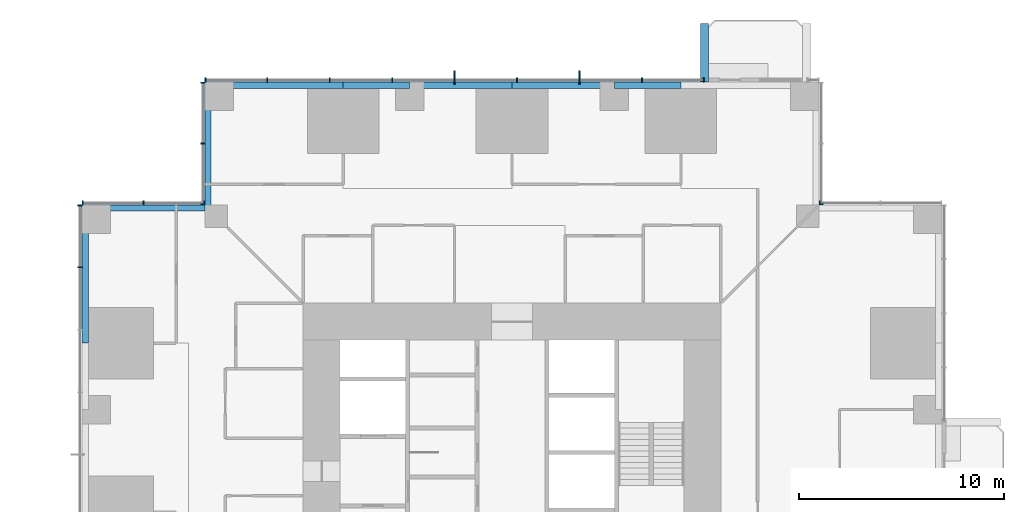
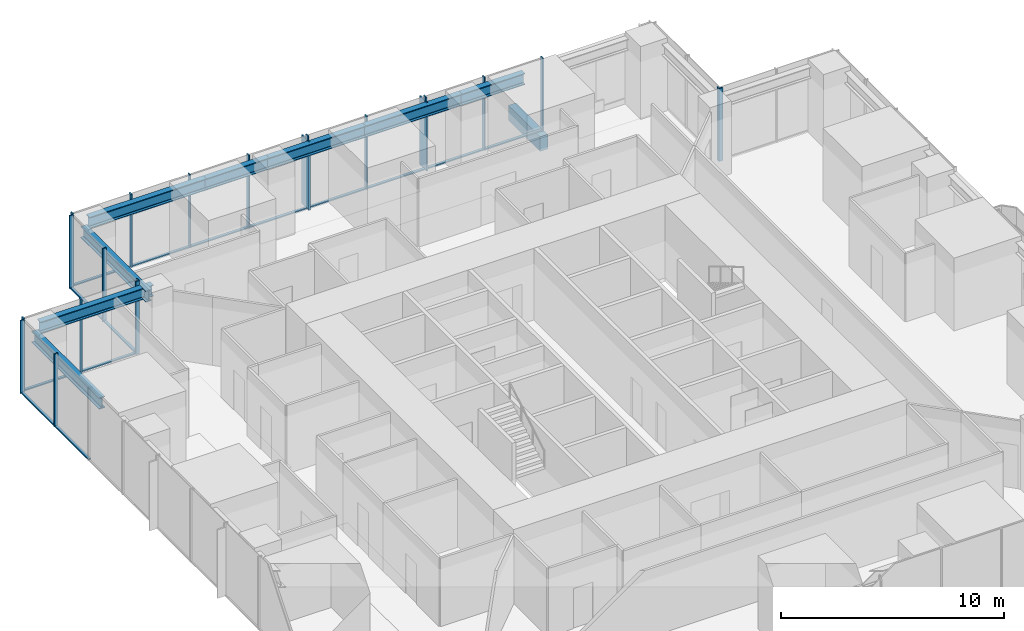
# One storey, part 5 of 17: 35 members, 9 beams, 6 elements without a shape of their own.
"""IFC4 building model written with IfcOpenShell, lengths in metres."""

from ifc_helpers import new_model, si_unit, direction, frame, origin, origin_2d, place, context, subcontext, project, spatial, rectangle, i_section, extrude, material, material_profile, profile_set, type_object, element, aggregate, save


model = new_model("IFC4")

# Units and contexts
model_context = context("Model", 3, precision=1e-05, world=origin(), true_north=direction((0.0, 1.0)))
body_context = subcontext(model_context, "Body", "Model", "MODEL_VIEW")
ifc_project = project(units=[si_unit("LENGTHUNIT", "METRE"), si_unit("AREAUNIT", "SQUARE_METRE"), si_unit("VOLUMEUNIT", "CUBIC_METRE"), si_unit("PLANEANGLEUNIT", "RADIAN"), si_unit("MASSUNIT", "GRAM", prefix="KILO")], contexts=[model_context])

# Site, building, storey
site_placement = place(None, origin())
site = spatial("IfcSite", under=ifc_project, at=site_placement, CompositionType="ELEMENT")
building_placement = place(site_placement, origin())
building = spatial("IfcBuilding", under=site, at=building_placement, Name="Svetlomir Tower", CompositionType="ELEMENT")
storey_placement = place(building_placement, frame((0.0, 0.0, 30.5)))
storey = spatial("IfcBuildingStorey", under=building, at=storey_placement, Name="L06", CompositionType="ELEMENT", Elevation=30.5)

# Beam
ifc_material_1 = material(Name="Concrete C60/75", Category="concrete")
ifc_material_profile_1 = material_profile(ifc_material_1, rectangle(XDim=0.39990234375, YDim=0.800048828125, at=origin_2d()), Name="RC 400x800")
ifc_profile_set_1 = profile_set([ifc_material_profile_1], Name="Concrete C60/75")
beam_type_1 = type_object("IfcBeamType", Name="BALCONY RIB RC 400x800", PredefinedType="BEAM", material=ifc_profile_set_1)
beam_1_placement = place(storey_placement, frame((30.39990234375, 42.0, -0.64990234375), z_axis=(0.0, 1.0, 0.0), x_axis=(-1.0, 0.0, 0.0)))
element("IfcBeam", 1, at=beam_1_placement, inside=storey, type_object=beam_type_1, Name="Balcony rib N 1 L06", PredefinedType="BEAM", context=body_context, shape_type="SweptSolid", body=[
    extrude(rectangle(XDim=0.39990234375, YDim=0.800048828125, at=origin_2d()), origin(), (0.0, 0.0, 1.0), 2.85009765625),
])

# Curtain wall, members
ifc_material_2 = material(Name="Bronze anodised aluminium curtain wall", Category="aluminium")
curtain_wall_type = type_object("IfcCurtainWallType", Name="CURTAIN WALL CW1 TOWER OFFICE", PredefinedType="NOTDEFINED", material=ifc_material_2)
curtain_wall_1_placement = place(storey_placement, origin())
curtain_wall_1 = element("IfcCurtainWall", 2, at=curtain_wall_1_placement, inside=storey, type_object=curtain_wall_type, Name="Curtain wall CW1 L06", PredefinedType="NOTDEFINED")
ifc_material_3 = material(Name="Bronze anodised aluminium", Category="aluminium")
ifc_material_profile_2 = material_profile(ifc_material_3, rectangle(XDim=0.080078125, YDim=0.64990234375, at=origin_2d()), Name="FIN 80x650")
ifc_profile_set_2 = profile_set([ifc_material_profile_2], Name="Bronze anodised aluminium 6063-T6")
member_type_1 = type_object("IfcMemberType", Name="BRONZE FIN 80x650", PredefinedType="USERDEFINED", material=ifc_profile_set_2)
member_1_placement = place(storey_placement, frame((24.300048828125, 42.22509765625, 0.0), z_axis=(0.0, 0.0, 1.0), x_axis=(1.0, 0.0, 0.0)))
member_1 = element("IfcMember", 3, at=member_1_placement, type_object=member_type_1, Name="Bronze fin L06", ObjectType="FIN", PredefinedType="USERDEFINED", context=body_context, shape_type="SweptSolid", body=[
    extrude(rectangle(XDim=0.080078125, YDim=0.64990234375, at=origin_2d()), origin(), (0.0, 0.0, 1.0), 3.75),
])
member_2_placement = place(storey_placement, frame((18.199951171875, 42.22509765625, 0.0), z_axis=(0.0, 0.0, 1.0), x_axis=(1.0, 0.0, 0.0)))
member_2 = element("IfcMember", 4, at=member_2_placement, type_object=member_type_1, Name="Bronze fin L06", ObjectType="FIN", PredefinedType="USERDEFINED", context=body_context, shape_type="SweptSolid", body=[
    extrude(rectangle(XDim=0.080078125, YDim=0.64990234375, at=origin_2d()), origin(), (0.0, 0.0, 1.0), 3.75),
])

# Curtain wall, member
curtain_wall_2_placement = place(storey_placement, origin())
curtain_wall_2 = element("IfcCurtainWall", 5, at=curtain_wall_2_placement, inside=storey, type_object=curtain_wall_type, Name="Curtain wall CW1 L06", PredefinedType="NOTDEFINED")
ifc_material_4 = material(Name="Bronze anodised aluminium", Category="aluminium")
ifc_material_profile_3 = material_profile(ifc_material_4, rectangle(XDim=0.06494140625, YDim=0.199951171875, at=origin_2d()), Name="AL 65x200")
ifc_profile_set_3 = profile_set([ifc_material_profile_3], Name="Bronze anodised aluminium 6063-T6")
member_type_2 = type_object("IfcMemberType", Name="CW1 MULLION 65x200", PredefinedType="MULLION", material=ifc_profile_set_3)
member_3_placement = place(storey_placement, frame((36.032470703125, 36.10009765625, 0.0), z_axis=(0.0, 0.0, 1.0), x_axis=(-1.0, 0.0, 0.0)))
member_3 = element("IfcMember", 6, at=member_3_placement, type_object=member_type_2, Name="CW1 mullion 3", PredefinedType="MULLION", context=body_context, shape_type="SweptSolid", body=[
    extrude(rectangle(XDim=0.06494140625, YDim=0.199951171875, at=origin_2d()), origin(), (0.0, 0.0, 1.0), 4.0),
])
aggregate(curtain_wall_2, [member_3])

curtain_wall_3_placement = place(storey_placement, origin())
curtain_wall_3 = element("IfcCurtainWall", 7, at=curtain_wall_3_placement, inside=storey, type_object=curtain_wall_type, Name="Curtain wall CW1 L06", PredefinedType="NOTDEFINED")
member_4_placement = place(storey_placement, frame((36.10009765625, 36.032470703125, 0.0), z_axis=(0.0, 0.0, 1.0), x_axis=(0.0, 1.0, 0.0)))
member_4 = element("IfcMember", 8, at=member_4_placement, type_object=member_type_2, Name="CW1 mullion 1", PredefinedType="MULLION", context=body_context, shape_type="SweptSolid", body=[
    extrude(rectangle(XDim=0.06494140625, YDim=0.199951171875, at=origin_2d()), origin(), (0.0, 0.0, 1.0), 4.0),
])
aggregate(curtain_wall_3, [member_4])

# Member
member_5_placement = place(storey_placement, frame((30.367431640625, 42.10009765625, 0.0), z_axis=(0.0, 0.0, 1.0), x_axis=(-1.0, 0.0, 0.0)))
member_5 = element("IfcMember", 9, at=member_5_placement, type_object=member_type_2, Name="CW1 mullion 1", PredefinedType="MULLION", context=body_context, shape_type="SweptSolid", body=[
    extrude(rectangle(XDim=0.06494140625, YDim=0.199951171875, at=origin_2d()), origin(), (0.0, 0.0, 1.0), 4.0),
])

member_6_placement = place(storey_placement, frame((27.35009765625, 42.10009765625, 0.0), z_axis=(0.0, 0.0, 1.0), x_axis=(-1.0, 0.0, 0.0)))
member_6 = element("IfcMember", 10, at=member_6_placement, type_object=member_type_2, Name="CW1 mullion 2", PredefinedType="MULLION", context=body_context, shape_type="SweptSolid", body=[
    extrude(rectangle(XDim=0.06494140625, YDim=0.199951171875, at=origin_2d()), origin(), (0.0, 0.0, 1.0), 4.0),
])

member_7_placement = place(storey_placement, frame((24.300048828125, 42.10009765625, 0.0), z_axis=(0.0, 0.0, 1.0), x_axis=(-1.0, 0.0, 0.0)))
member_7 = element("IfcMember", 11, at=member_7_placement, type_object=member_type_2, Name="CW1 mullion 3", PredefinedType="MULLION", context=body_context, shape_type="SweptSolid", body=[
    extrude(rectangle(XDim=0.06494140625, YDim=0.199951171875, at=origin_2d()), origin(), (0.0, 0.0, 1.0), 4.0),
])

member_8_placement = place(storey_placement, frame((21.25, 42.10009765625, 0.0), z_axis=(0.0, 0.0, 1.0), x_axis=(-1.0, 0.0, 0.0)))
member_8 = element("IfcMember", 12, at=member_8_placement, type_object=member_type_2, Name="CW1 mullion 4", PredefinedType="MULLION", context=body_context, shape_type="SweptSolid", body=[
    extrude(rectangle(XDim=0.06494140625, YDim=0.199951171875, at=origin_2d()), origin(), (0.0, 0.0, 1.0), 4.0),
])

member_9_placement = place(storey_placement, frame((18.199951171875, 42.10009765625, 0.0), z_axis=(0.0, 0.0, 1.0), x_axis=(-1.0, 0.0, 0.0)))
member_9 = element("IfcMember", 13, at=member_9_placement, type_object=member_type_2, Name="CW1 mullion 5", PredefinedType="MULLION", context=body_context, shape_type="SweptSolid", body=[
    extrude(rectangle(XDim=0.06494140625, YDim=0.199951171875, at=origin_2d()), origin(), (0.0, 0.0, 1.0), 4.0),
])

member_10_placement = place(storey_placement, frame((15.14990234375, 42.10009765625, 0.0), z_axis=(0.0, 0.0, 1.0), x_axis=(-1.0, 0.0, 0.0)))
member_10 = element("IfcMember", 14, at=member_10_placement, type_object=member_type_2, Name="CW1 mullion 6", PredefinedType="MULLION", context=body_context, shape_type="SweptSolid", body=[
    extrude(rectangle(XDim=0.06494140625, YDim=0.199951171875, at=origin_2d()), origin(), (0.0, 0.0, 1.0), 4.0),
])

member_11_placement = place(storey_placement, frame((12.10009765625, 42.10009765625, 0.0), z_axis=(0.0, 0.0, 1.0), x_axis=(-1.0, 0.0, 0.0)))
member_11 = element("IfcMember", 15, at=member_11_placement, type_object=member_type_2, Name="CW1 mullion 7", PredefinedType="MULLION", context=body_context, shape_type="SweptSolid", body=[
    extrude(rectangle(XDim=0.06494140625, YDim=0.199951171875, at=origin_2d()), origin(), (0.0, 0.0, 1.0), 4.0),
])

member_12_placement = place(storey_placement, frame((9.050048828125, 42.10009765625, 0.0), z_axis=(0.0, 0.0, 1.0), x_axis=(-1.0, 0.0, 0.0)))
member_12 = element("IfcMember", 16, at=member_12_placement, type_object=member_type_2, Name="CW1 mullion 8", PredefinedType="MULLION", context=body_context, shape_type="SweptSolid", body=[
    extrude(rectangle(XDim=0.06494140625, YDim=0.199951171875, at=origin_2d()), origin(), (0.0, 0.0, 1.0), 4.0),
])

member_13_placement = place(storey_placement, frame((6.032470703125, 42.10009765625, 0.0), z_axis=(0.0, 0.0, 1.0), x_axis=(-1.0, 0.0, 0.0)))
member_13 = element("IfcMember", 17, at=member_13_placement, type_object=member_type_2, Name="CW1 mullion 9", PredefinedType="MULLION", context=body_context, shape_type="SweptSolid", body=[
    extrude(rectangle(XDim=0.06494140625, YDim=0.199951171875, at=origin_2d()), origin(), (0.0, 0.0, 1.0), 4.0),
])

# Curtain wall, members
curtain_wall_4_placement = place(storey_placement, origin())
curtain_wall_4 = element("IfcCurtainWall", 18, at=curtain_wall_4_placement, inside=storey, type_object=curtain_wall_type, Name="Curtain wall CW1 L06", PredefinedType="NOTDEFINED")
member_14_placement = place(storey_placement, frame((5.89990234375, 41.967529296875, 0.0), z_axis=(0.0, 0.0, 1.0), x_axis=(0.0, -1.0, 0.0)))
member_14 = element("IfcMember", 19, at=member_14_placement, type_object=member_type_2, Name="CW1 mullion 1", PredefinedType="MULLION", context=body_context, shape_type="SweptSolid", body=[
    extrude(rectangle(XDim=0.06494140625, YDim=0.199951171875, at=origin_2d()), origin(), (0.0, 0.0, 1.0), 4.0),
])
member_15_placement = place(storey_placement, frame((5.89990234375, 39.0, 0.0), z_axis=(0.0, 0.0, 1.0), x_axis=(0.0, -1.0, 0.0)))
member_15 = element("IfcMember", 20, at=member_15_placement, type_object=member_type_2, Name="CW1 mullion 2", PredefinedType="MULLION", context=body_context, shape_type="SweptSolid", body=[
    extrude(rectangle(XDim=0.06494140625, YDim=0.199951171875, at=origin_2d()), origin(), (0.0, 0.0, 1.0), 4.0),
])
member_16_placement = place(storey_placement, frame((5.89990234375, 36.032470703125, 0.0), z_axis=(0.0, 0.0, 1.0), x_axis=(0.0, -1.0, 0.0)))
member_16 = element("IfcMember", 21, at=member_16_placement, type_object=member_type_2, Name="CW1 mullion 3", PredefinedType="MULLION", context=body_context, shape_type="SweptSolid", body=[
    extrude(rectangle(XDim=0.06494140625, YDim=0.199951171875, at=origin_2d()), origin(), (0.0, 0.0, 1.0), 4.0),
])

curtain_wall_5_placement = place(storey_placement, origin())
curtain_wall_5 = element("IfcCurtainWall", 22, at=curtain_wall_5_placement, inside=storey, type_object=curtain_wall_type, Name="Curtain wall CW1 L06", PredefinedType="NOTDEFINED")
member_17_placement = place(storey_placement, frame((5.967529296875, 36.10009765625, 0.0), z_axis=(0.0, 0.0, 1.0), x_axis=(-1.0, 0.0, 0.0)))
member_17 = element("IfcMember", 23, at=member_17_placement, type_object=member_type_2, Name="CW1 mullion 1", PredefinedType="MULLION", context=body_context, shape_type="SweptSolid", body=[
    extrude(rectangle(XDim=0.06494140625, YDim=0.199951171875, at=origin_2d()), origin(), (0.0, 0.0, 1.0), 4.0),
])
member_18_placement = place(storey_placement, frame((3.0, 36.10009765625, 0.0), z_axis=(0.0, 0.0, 1.0), x_axis=(-1.0, 0.0, 0.0)))
member_18 = element("IfcMember", 24, at=member_18_placement, type_object=member_type_2, Name="CW1 mullion 2", PredefinedType="MULLION", context=body_context, shape_type="SweptSolid", body=[
    extrude(rectangle(XDim=0.06494140625, YDim=0.199951171875, at=origin_2d()), origin(), (0.0, 0.0, 1.0), 4.0),
])
member_19_placement = place(storey_placement, frame((0.032470703125, 36.10009765625, 0.0), z_axis=(0.0, 0.0, 1.0), x_axis=(-1.0, 0.0, 0.0)))
member_19 = element("IfcMember", 25, at=member_19_placement, type_object=member_type_2, Name="CW1 mullion 3", PredefinedType="MULLION", context=body_context, shape_type="SweptSolid", body=[
    extrude(rectangle(XDim=0.06494140625, YDim=0.199951171875, at=origin_2d()), origin(), (0.0, 0.0, 1.0), 4.0),
])

curtain_wall_6_placement = place(storey_placement, origin())
curtain_wall_6 = element("IfcCurtainWall", 26, at=curtain_wall_6_placement, inside=storey, type_object=curtain_wall_type, Name="Curtain wall CW1 L06", PredefinedType="NOTDEFINED")
member_20_placement = place(storey_placement, frame((-0.10009765625, 35.967529296875, 0.0), z_axis=(0.0, 0.0, 1.0), x_axis=(0.0, -1.0, 0.0)))
member_20 = element("IfcMember", 27, at=member_20_placement, type_object=member_type_2, Name="CW1 mullion 1", PredefinedType="MULLION", context=body_context, shape_type="SweptSolid", body=[
    extrude(rectangle(XDim=0.06494140625, YDim=0.199951171875, at=origin_2d()), origin(), (0.0, 0.0, 1.0), 4.0),
])
member_21_placement = place(storey_placement, frame((-0.10009765625, 32.949951171875, 0.0), z_axis=(0.0, 0.0, 1.0), x_axis=(0.0, -1.0, 0.0)))
member_21 = element("IfcMember", 28, at=member_21_placement, type_object=member_type_2, Name="CW1 mullion 2", PredefinedType="MULLION", context=body_context, shape_type="SweptSolid", body=[
    extrude(rectangle(XDim=0.06494140625, YDim=0.199951171875, at=origin_2d()), origin(), (0.0, 0.0, 1.0), 4.0),
])

# Member
ifc_material_5 = material(Name="Bronze anodised aluminium", Category="aluminium")
ifc_material_profile_4 = material_profile(ifc_material_5, rectangle(XDim=0.139892578125, YDim=0.06494140625, at=origin_2d()), Name="AL 140x65")
ifc_profile_set_4 = profile_set([ifc_material_profile_4], Name="Bronze anodised aluminium 6063-T6")
member_type_3 = type_object("IfcMemberType", Name="CW1 TRANSOM 65x140", PredefinedType="USERDEFINED", material=ifc_profile_set_4)
member_22_placement = place(storey_placement, frame((30.3349609375, 42.10009765625, 0.032470703125), z_axis=(-1.0, 0.0, 0.0), x_axis=(0.0, -1.0, 0.0)))
member_22 = element("IfcMember", 29, at=member_22_placement, type_object=member_type_3, Name="CW1 transom 1.1", ObjectType="TRANSOM", PredefinedType="USERDEFINED", context=body_context, shape_type="SweptSolid", body=[
    extrude(rectangle(XDim=0.139892578125, YDim=0.06494140625, at=origin_2d()), origin(), (0.0, 0.0, 1.0), 2.952392578125),
])

member_23_placement = place(storey_placement, frame((27.3173828125, 42.10009765625, 0.032470703125), z_axis=(-1.0, 0.0, 0.0), x_axis=(0.0, -1.0, 0.0)))
member_23 = element("IfcMember", 30, at=member_23_placement, type_object=member_type_3, Name="CW1 transom 2.1", ObjectType="TRANSOM", PredefinedType="USERDEFINED", context=body_context, shape_type="SweptSolid", body=[
    extrude(rectangle(XDim=0.139892578125, YDim=0.06494140625, at=origin_2d()), origin(), (0.0, 0.0, 1.0), 2.98486328125),
])

member_24_placement = place(storey_placement, frame((24.267578125, 42.10009765625, 0.032470703125), z_axis=(-1.0, 0.0, 0.0), x_axis=(0.0, -1.0, 0.0)))
member_24 = element("IfcMember", 31, at=member_24_placement, type_object=member_type_3, Name="CW1 transom 3.1", ObjectType="TRANSOM", PredefinedType="USERDEFINED", context=body_context, shape_type="SweptSolid", body=[
    extrude(rectangle(XDim=0.139892578125, YDim=0.06494140625, at=origin_2d()), origin(), (0.0, 0.0, 1.0), 2.985107421875),
])

member_25_placement = place(storey_placement, frame((21.217529296875, 42.10009765625, 0.032470703125), z_axis=(-1.0, 0.0, 0.0), x_axis=(0.0, -1.0, 0.0)))
member_25 = element("IfcMember", 32, at=member_25_placement, type_object=member_type_3, Name="CW1 transom 4.1", ObjectType="TRANSOM", PredefinedType="USERDEFINED", context=body_context, shape_type="SweptSolid", body=[
    extrude(rectangle(XDim=0.139892578125, YDim=0.06494140625, at=origin_2d()), origin(), (0.0, 0.0, 1.0), 2.985107421875),
])

member_26_placement = place(storey_placement, frame((18.16748046875, 42.10009765625, 0.032470703125), z_axis=(-1.0, 0.0, 0.0), x_axis=(0.0, -1.0, 0.0)))
member_26 = element("IfcMember", 33, at=member_26_placement, type_object=member_type_3, Name="CW1 transom 5.1", ObjectType="TRANSOM", PredefinedType="USERDEFINED", context=body_context, shape_type="SweptSolid", body=[
    extrude(rectangle(XDim=0.139892578125, YDim=0.06494140625, at=origin_2d()), origin(), (0.0, 0.0, 1.0), 2.98486328125),
])

member_27_placement = place(storey_placement, frame((15.117431640625, 42.10009765625, 0.032470703125), z_axis=(-1.0, 0.0, 0.0), x_axis=(0.0, -1.0, 0.0)))
member_27 = element("IfcMember", 34, at=member_27_placement, type_object=member_type_3, Name="CW1 transom 6.1", ObjectType="TRANSOM", PredefinedType="USERDEFINED", context=body_context, shape_type="SweptSolid", body=[
    extrude(rectangle(XDim=0.139892578125, YDim=0.06494140625, at=origin_2d()), origin(), (0.0, 0.0, 1.0), 2.98486328125),
])

member_28_placement = place(storey_placement, frame((12.0673828125, 42.10009765625, 0.032470703125), z_axis=(-1.0, 0.0, 0.0), x_axis=(0.0, -1.0, 0.0)))
member_28 = element("IfcMember", 35, at=member_28_placement, type_object=member_type_3, Name="CW1 transom 7.1", ObjectType="TRANSOM", PredefinedType="USERDEFINED", context=body_context, shape_type="SweptSolid", body=[
    extrude(rectangle(XDim=0.139892578125, YDim=0.06494140625, at=origin_2d()), origin(), (0.0, 0.0, 1.0), 2.98486328125),
])

member_29_placement = place(storey_placement, frame((9.017578125, 42.10009765625, 0.032470703125), z_axis=(-1.0, 0.0, 0.0), x_axis=(0.0, -1.0, 0.0)))
member_29 = element("IfcMember", 36, at=member_29_placement, type_object=member_type_3, Name="CW1 transom 8.1", ObjectType="TRANSOM", PredefinedType="USERDEFINED", context=body_context, shape_type="SweptSolid", body=[
    extrude(rectangle(XDim=0.139892578125, YDim=0.06494140625, at=origin_2d()), origin(), (0.0, 0.0, 1.0), 2.95263671875),
])

aggregate(curtain_wall_1, [member_5, member_6, member_7, member_8, member_9, member_10, member_11, member_12, member_13, member_22, member_23, member_24, member_25, member_26, member_27, member_28, member_29, member_1, member_2])

member_30_placement = place(storey_placement, frame((5.89990234375, 41.93505859375, 0.032470703125), z_axis=(0.0, -1.0, 0.0), x_axis=(1.0, 0.0, 0.0)))
member_30 = element("IfcMember", 37, at=member_30_placement, type_object=member_type_3, Name="CW1 transom 1.1", ObjectType="TRANSOM", PredefinedType="USERDEFINED", context=body_context, shape_type="SweptSolid", body=[
    extrude(rectangle(XDim=0.139892578125, YDim=0.06494140625, at=origin_2d()), origin(), (0.0, 0.0, 1.0), 2.902587890625),
])

member_31_placement = place(storey_placement, frame((5.89990234375, 38.967529296875, 0.032470703125), z_axis=(0.0, -1.0, 0.0), x_axis=(1.0, 0.0, 0.0)))
member_31 = element("IfcMember", 38, at=member_31_placement, type_object=member_type_3, Name="CW1 transom 2.1", ObjectType="TRANSOM", PredefinedType="USERDEFINED", context=body_context, shape_type="SweptSolid", body=[
    extrude(rectangle(XDim=0.139892578125, YDim=0.06494140625, at=origin_2d()), origin(), (0.0, 0.0, 1.0), 2.902587890625),
])

aggregate(curtain_wall_4, [member_14, member_15, member_16, member_30, member_31])

member_32_placement = place(storey_placement, frame((5.93505859375, 36.10009765625, 0.032470703125), z_axis=(-1.0, 0.0, 0.0), x_axis=(0.0, -1.0, 0.0)))
member_32 = element("IfcMember", 39, at=member_32_placement, type_object=member_type_3, Name="CW1 transom 1.1", ObjectType="TRANSOM", PredefinedType="USERDEFINED", context=body_context, shape_type="SweptSolid", body=[
    extrude(rectangle(XDim=0.139892578125, YDim=0.06494140625, at=origin_2d()), origin(), (0.0, 0.0, 1.0), 2.902587890625),
])

member_33_placement = place(storey_placement, frame((2.967529296875, 36.10009765625, 0.032470703125), z_axis=(-1.0, 0.0, 0.0), x_axis=(0.0, -1.0, 0.0)))
member_33 = element("IfcMember", 40, at=member_33_placement, type_object=member_type_3, Name="CW1 transom 2.1", ObjectType="TRANSOM", PredefinedType="USERDEFINED", context=body_context, shape_type="SweptSolid", body=[
    extrude(rectangle(XDim=0.139892578125, YDim=0.06494140625, at=origin_2d()), origin(), (0.0, 0.0, 1.0), 2.902587890625),
])

aggregate(curtain_wall_5, [member_17, member_18, member_19, member_32, member_33])

member_34_placement = place(storey_placement, frame((-0.10009765625, 35.93505859375, 0.032470703125), z_axis=(0.0, -1.0, 0.0), x_axis=(1.0, 0.0, 0.0)))
member_34 = element("IfcMember", 41, at=member_34_placement, type_object=member_type_3, Name="CW1 transom 1.1", ObjectType="TRANSOM", PredefinedType="USERDEFINED", context=body_context, shape_type="SweptSolid", body=[
    extrude(rectangle(XDim=0.139892578125, YDim=0.06494140625, at=origin_2d()), origin(), (0.0, 0.0, 1.0), 2.95263671875),
])

member_35_placement = place(storey_placement, frame((-0.10009765625, 32.91748046875, 0.032470703125), z_axis=(0.0, -1.0, 0.0), x_axis=(1.0, 0.0, 0.0)))
member_35 = element("IfcMember", 42, at=member_35_placement, type_object=member_type_3, Name="CW1 transom 2.1", ObjectType="TRANSOM", PredefinedType="USERDEFINED", context=body_context, shape_type="SweptSolid", body=[
    extrude(rectangle(XDim=0.139892578125, YDim=0.06494140625, at=origin_2d()), origin(), (0.0, 0.0, 1.0), 2.98486328125),
])

aggregate(curtain_wall_6, [member_20, member_21, member_34, member_35])

# Beams
ifc_material_6 = material(Name="Steel S355", Category="steel")
ifc_material_profile_5 = material_profile(ifc_material_6, i_section(OverallWidth=0.304931640625, OverallDepth=0.6201171875, WebThickness=0.02099609375, FlangeThickness=0.0400390625, FilletRadius=0.027099609375, at=origin_2d()), Name="HEM 600")
ifc_profile_set_5 = profile_set([ifc_material_profile_5], Name="Steel S355")
beam_type_2 = type_object("IfcBeamType", Name="EDGE BEAM HEM 600", PredefinedType="SPANDREL", material=ifc_profile_set_5)
beam_2_placement = place(storey_placement, frame((6.699951171875, 41.847412109375, 3.43994140625), z_axis=(1.0, 0.0, 0.0), x_axis=(0.0, 1.0, 0.0)))
element("IfcBeam", 43, at=beam_2_placement, inside=storey, type_object=beam_type_2, Name="Edge beam 6/42 to 11/42 under L07", PredefinedType="SPANDREL", context=body_context, shape_type="SweptSolid", body=[
    extrude(i_section(OverallWidth=0.304931640625, OverallDepth=0.6201171875, WebThickness=0.02099609375, FlangeThickness=0.0400390625, FilletRadius=0.027099609375, at=origin_2d()), origin(), (0.0, 0.0, 1.0), 6.050048828125),
])
beam_3_placement = place(storey_placement, frame((12.75, 41.847412109375, 3.43994140625), z_axis=(1.0, 0.0, 0.0), x_axis=(0.0, 1.0, 0.0)))
element("IfcBeam", 44, at=beam_3_placement, inside=storey, type_object=beam_type_2, Name="Edge beam 11/42 to 16/42 under L07", PredefinedType="SPANDREL", context=body_context, shape_type="SweptSolid", body=[
    extrude(i_section(OverallWidth=0.304931640625, OverallDepth=0.6201171875, WebThickness=0.02099609375, FlangeThickness=0.0400390625, FilletRadius=0.027099609375, at=origin_2d()), origin(), (0.0, 0.0, 1.0), 3.25),
])
for number, where, z_axis, x_axis, name in (
    (45, (16.0, 41.847412109375, 3.43994140625), (1.0, 0.0, 0.0), (0.0, 1.0, 0.0), "Edge beam 16/42 to 21/42 under L07"),
    (46, (21.0, 41.847412109375, 3.43994140625), (1.0, 0.0, 0.0), (0.0, 1.0, 0.0), "Edge beam 21/42 to 26/42 under L07"),
):
    element("IfcBeam", number, at=place(storey_placement, frame(where, z_axis=z_axis, x_axis=x_axis)), inside=storey, type_object=beam_type_2, Name=name, PredefinedType="SPANDREL", context=body_context, shape_type="SweptSolid", body=[
        extrude(i_section(OverallWidth=0.304931640625, OverallDepth=0.6201171875, WebThickness=0.02099609375, FlangeThickness=0.0400390625, FilletRadius=0.027099609375, at=origin_2d()), origin(), (0.0, 0.0, 1.0), 5.0),
    ])
beam_4_placement = place(storey_placement, frame((26.0, 41.847412109375, 3.43994140625), z_axis=(1.0, 0.0, 0.0), x_axis=(0.0, 1.0, 0.0)))
element("IfcBeam", 47, at=beam_4_placement, inside=storey, type_object=beam_type_2, Name="Edge beam 26/42 to 31/42 under L07", PredefinedType="SPANDREL", context=body_context, shape_type="SweptSolid", body=[
    extrude(i_section(OverallWidth=0.304931640625, OverallDepth=0.6201171875, WebThickness=0.02099609375, FlangeThickness=0.0400390625, FilletRadius=0.027099609375, at=origin_2d()), origin(), (0.0, 0.0, 1.0), 3.25),
])
beam_5_placement = place(storey_placement, frame((0.152587890625, 29.25, 3.43994140625), z_axis=(0.0, 1.0, 0.0), x_axis=(-1.0, 0.0, 0.0)))
element("IfcBeam", 48, at=beam_5_placement, inside=storey, type_object=beam_type_2, Name="Edge beam 0/31 to 0/36 under L07", PredefinedType="SPANDREL", context=body_context, shape_type="SweptSolid", body=[
    extrude(i_section(OverallWidth=0.304931640625, OverallDepth=0.6201171875, WebThickness=0.02099609375, FlangeThickness=0.0400390625, FilletRadius=0.027099609375, at=origin_2d()), origin(), (0.0, 0.0, 1.0), 6.050048828125),
])
for number, where, z_axis, x_axis, name in (
    (49, (6.152587890625, 41.300048828125, 3.43994140625), (0.0, -1.0, 0.0), (1.0, 0.0, 0.0), "Edge beam 6/42 to 6/36 under L07"),
    (50, (0.699951171875, 35.847412109375, 3.43994140625), (1.0, 0.0, 0.0), (0.0, 1.0, 0.0), "Edge beam 0/36 to 6/36 under L07"),
):
    element("IfcBeam", number, at=place(storey_placement, frame(where, z_axis=z_axis, x_axis=x_axis)), inside=storey, type_object=beam_type_2, Name=name, PredefinedType="SPANDREL", context=body_context, shape_type="SweptSolid", body=[
        extrude(i_section(OverallWidth=0.304931640625, OverallDepth=0.6201171875, WebThickness=0.02099609375, FlangeThickness=0.0400390625, FilletRadius=0.027099609375, at=origin_2d()), origin(), (0.0, 0.0, 1.0), 5.85009765625),
    ])

save(model, "model.ifc")
